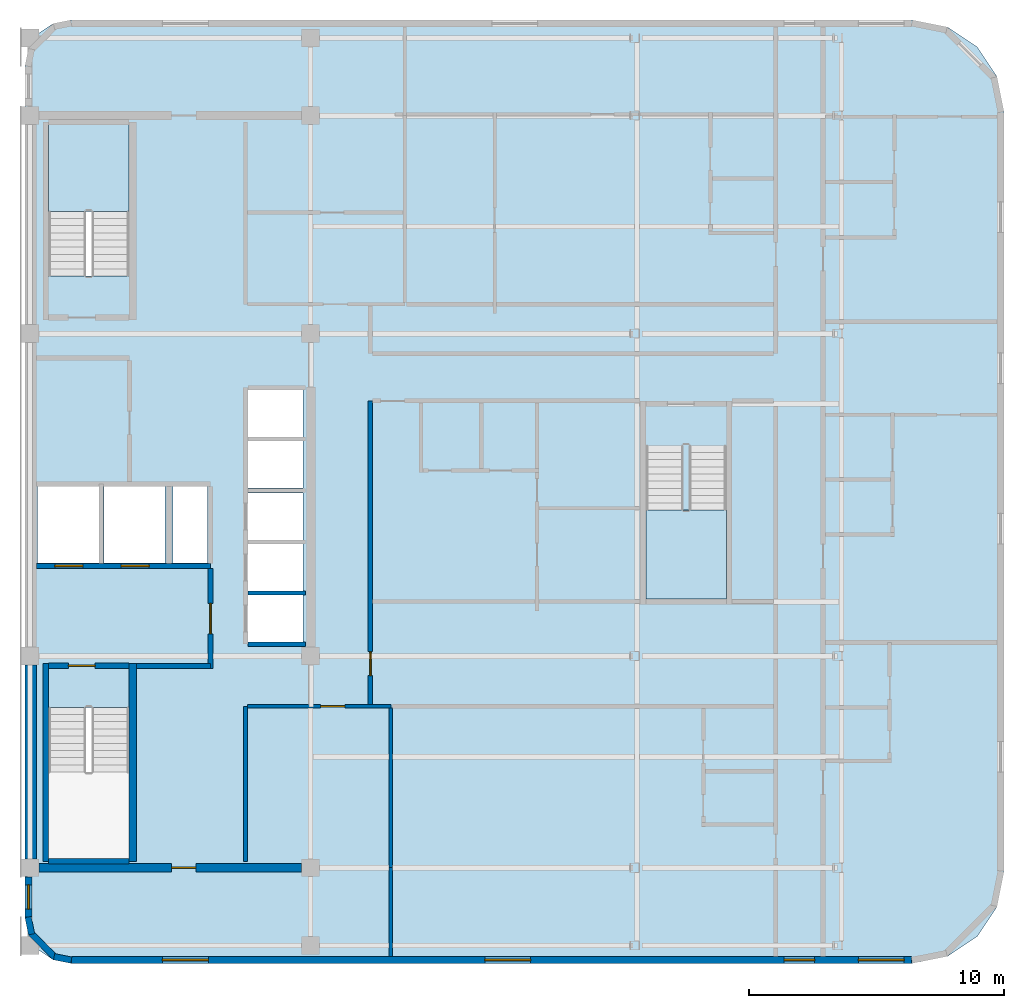
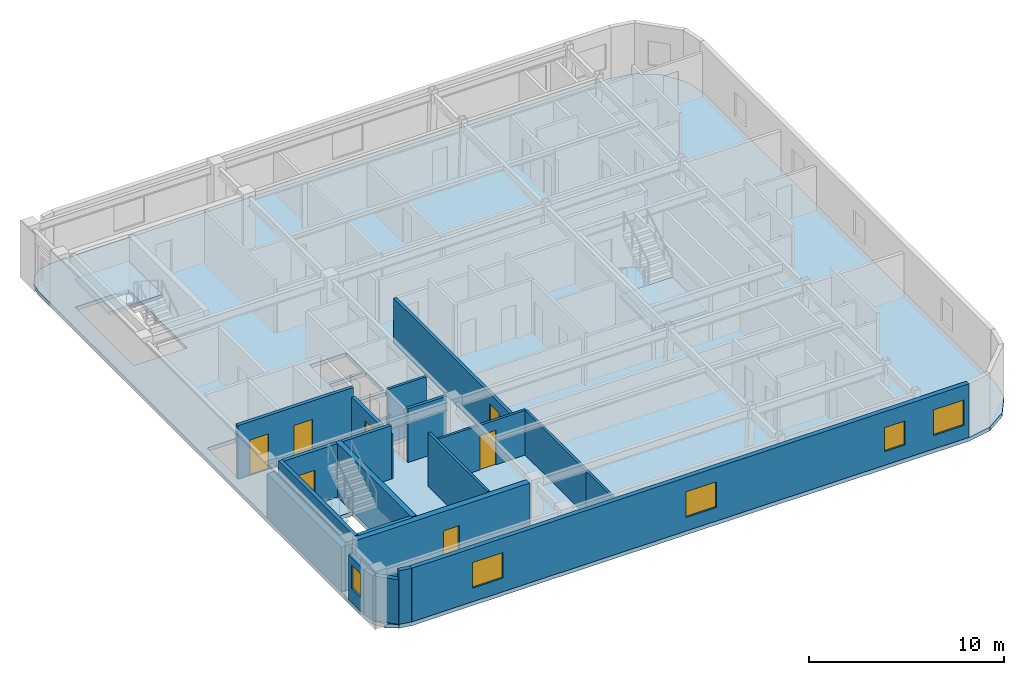
# One storey, part 2 of 8: 21 walls, 7 doors, 5 windows, 3 slabs, 12 openings, 2 elements without a shape of their own.
"""IFC4 building model written with IfcOpenShell, lengths in metres."""

from ifc_helpers import new_model, si_unit, direction, frame, frame_2d, origin, place, context, subcontext, project, spatial, polyline, rectangle, outline, extrude, material, layer, layer_set, type_object, element, fill, aggregate, save


model = new_model("IFC4")

# Units and contexts
model_context = context("Model", 3, precision=1e-05, world=origin(), true_north=direction((0.0, 1.0)))
body_context = subcontext(model_context, "Body", "Model", "MODEL_VIEW")
ifc_project = project(units=[si_unit("LENGTHUNIT", "METRE"), si_unit("AREAUNIT", "SQUARE_METRE"), si_unit("VOLUMEUNIT", "CUBIC_METRE"), si_unit("PLANEANGLEUNIT", "RADIAN"), si_unit("MASSUNIT", "GRAM", prefix="KILO")], contexts=[model_context])

# Site, building, storey
site_placement = place(None, origin())
site = spatial("IfcSite", under=ifc_project, at=site_placement, CompositionType="ELEMENT")
building_placement = place(site_placement, origin())
building = spatial("IfcBuilding", under=site, at=building_placement, Name="Ochreholt Gables", CompositionType="ELEMENT")
storey_placement = place(building_placement, frame((0.0, 0.0, 227.39990234375)))
storey = spatial("IfcBuildingStorey", under=building, at=storey_placement, Name="L59", CompositionType="ELEMENT", Elevation=227.39990234375)

# Stair, slab
ifc_material_1 = material(Name="Concrete 40 MPa", Category="concrete")
stair_type_1 = type_object("IfcStairType", Name="STAIR-CORE-ST-2", PredefinedType="HALF_TURN_STAIR", material=ifc_material_1)
stair_1_placement = place(storey_placement, origin())
stair_1 = element("IfcStair", 1, at=stair_1_placement, inside=storey, type_object=stair_type_1, Name="L59 Core Exit Stair 2", PredefinedType="HALF_TURN_STAIR")
ifc_layer_1 = layer(ifc_material_1, 0.199951171875, Name="Concrete 40 MPa")
ifc_layer_set_1 = layer_set([ifc_layer_1], Name="Concrete 40 MPa")
slab_type_1 = type_object("IfcSlabType", Name="LANDING-RC200", PredefinedType="LANDING", material=ifc_layer_set_1)
slab_1_placement = place(storey_placement, frame((0.0, 0.0, 1.60009765625)))
slab_1 = element("IfcSlab", 2, at=slab_1_placement, type_object=slab_type_1, Name="ST-2 landing 1", PredefinedType="LANDING", context=body_context, shape_type="SweptSolid", body=[
    extrude(outline(polyline([(28.080078125, 34.998046875), (28.080078125, 38.47998046875), (24.919921875, 38.47998046875), (24.919921875, 34.998046875), (28.080078125, 34.998046875)])), origin(), (0.0, 0.0, 1.0), 0.199951171875),
])
aggregate(stair_1, [slab_1])

stair_type_2 = type_object("IfcStairType", Name="STAIR-CORE-ST-C6", PredefinedType="HALF_TURN_STAIR", material=ifc_material_1)
stair_2_placement = place(storey_placement, origin())
stair_2 = element("IfcStair", 3, at=stair_2_placement, inside=storey, type_object=stair_type_2, Name="L59 Community Feature Stair ST-C6", PredefinedType="HALF_TURN_STAIR")
slab_2_placement = place(storey_placement, frame((0.0, 0.0, 1.60009765625)))
slab_2 = element("IfcSlab", 4, at=slab_2_placement, type_object=slab_type_1, Name="ST-C6 landing 1", PredefinedType="LANDING", context=body_context, shape_type="SweptSolid", body=[
    extrude(outline(polyline([(48.35009765625, 23.281982421875), (48.35009765625, 19.800048828125), (51.510009765625, 19.800048828125), (51.510009765625, 23.281982421875), (48.35009765625, 23.281982421875)])), origin(), (0.0, 0.0, 1.0), 0.199951171875),
])
aggregate(stair_2, [slab_2])

# Slab
ifc_layer_2 = layer(ifc_material_1, 0.239990234375, Name="Concrete 40 MPa")
ifc_layer_set_2 = layer_set([ifc_layer_2], Name="Concrete 40 MPa")
slab_type_2 = type_object("IfcSlabType", Name="SLAB-TWR-240", PredefinedType="FLOOR", material=ifc_layer_set_2)
slab_3_placement = place(storey_placement, frame((0.0, 0.0, -0.239990234375)))
element("IfcSlab", 5, at=slab_3_placement, inside=storey, type_object=slab_type_2, Name="L59 Structural Floor Slab", PredefinedType="FLOOR", context=body_context, shape_type="SweptSolid", body=[
    extrude(outline(polyline([(24.0, 7.300048828125), (24.136962890625, 6.611083984375), (24.527099609375, 6.027099609375), (25.111083984375, 5.636962890625), (25.800048828125, 5.5), (58.800048828125, 5.5), (60.177734375, 5.77392578125), (61.345703125, 6.554443359375), (62.1259765625, 7.722412109375), (62.39990234375, 9.10009765625), (62.39990234375, 38.89990234375), (62.1259765625, 40.277587890625), (61.345703125, 41.445556640625), (60.177734375, 42.22607421875), (58.800048828125, 42.5), (25.800048828125, 42.5), (25.111083984375, 42.363037109375), (24.527099609375, 41.972900390625), (24.136962890625, 41.388916015625), (24.0, 40.699951171875), (24.0, 7.300048828125)]), holes=[polyline([(24.919921875, 15.539306640625), (24.919921875, 9.52001953125), (28.080078125, 9.52001953125), (28.080078125, 15.539306640625), (24.919921875, 15.539306640625)]), polyline([(28.080078125, 32.460693359375), (28.080078125, 38.47998046875), (24.919921875, 38.47998046875), (24.919921875, 32.460693359375), (28.080078125, 32.460693359375)]), polyline([(24.5, 21.199951171875), (26.89990234375, 21.199951171875), (26.89990234375, 24.199951171875), (24.5, 24.199951171875), (24.5, 21.199951171875)]), polyline([(27.10009765625, 21.199951171875), (29.5, 21.199951171875), (29.5, 24.199951171875), (27.10009765625, 24.199951171875), (27.10009765625, 21.199951171875)]), polyline([(32.75, 18.10009765625), (34.89990234375, 18.10009765625), (34.89990234375, 19.949951171875), (32.75, 19.949951171875), (32.75, 18.10009765625)]), polyline([(32.75, 20.10009765625), (34.89990234375, 20.10009765625), (34.89990234375, 21.949951171875), (32.75, 21.949951171875), (32.75, 20.10009765625)]), polyline([(32.75, 22.10009765625), (34.89990234375, 22.10009765625), (34.89990234375, 23.949951171875), (32.75, 23.949951171875), (32.75, 22.10009765625)]), polyline([(32.75, 24.14990234375), (34.89990234375, 24.14990234375), (34.89990234375, 26.0), (32.75, 26.0), (32.75, 24.14990234375)]), polyline([(32.75, 26.14990234375), (34.89990234375, 26.14990234375), (34.89990234375, 28.0), (32.75, 28.0), (32.75, 26.14990234375)]), polyline([(29.800048828125, 21.199951171875), (31.14990234375, 21.199951171875), (31.14990234375, 24.199951171875), (29.800048828125, 24.199951171875), (29.800048828125, 21.199951171875)])]), origin(), (0.0, 0.0, 1.0), 0.239990234375),
])

# Wall, opening, door
ifc_material_2 = material(Name="Concrete 50 MPa", Category="concrete")
ifc_layer_3 = layer(ifc_material_2, 0.35009765625, Name="Concrete 50 MPa")
ifc_layer_set_3 = layer_set([ifc_layer_3], Name="Concrete 50 MPa")
wall_type_1 = type_object("IfcWallType", Name="WALL-CSW-350", PredefinedType="SHEAR", material=ifc_layer_set_3)
wall_1_placement = place(storey_placement, frame((24.550048828125, 9.25, 0.0), z_axis=(0.0, 0.0, 1.0), x_axis=(1.0, 0.0, 0.0)))
wall_1 = element("IfcWall", 6, at=wall_1_placement, inside=storey, type_object=wall_type_1, Name="L59 Core South Shear Wall", PredefinedType="SHEAR", context=body_context, shape_type="SweptSolid", body=[
    extrude(rectangle(XDim=10.300048828125, YDim=0.35009765625, at=frame_2d((5.14990234375, 0.0))), origin(), (0.0, 0.0, 1.0), 3.35009765625),
])
opening_1_placement = place(wall_1_placement, frame((5.199951171875, 0.0, 0.0)))
opening_1 = element("IfcOpeningElement", 7, at=opening_1_placement, cuts=wall_1, Name="Opening D-FL2", PredefinedType="OPENING", context=body_context, shape_type="SweptSolid", body=[
    extrude(rectangle(XDim=0.949951171875, YDim=2.14990234375, at=frame_2d((0.47509765625, 1.074951171875))), frame((0.0, 0.18505859375, 0.0), z_axis=(0.0, -1.0, 0.0), x_axis=(1.0, 0.0, 0.0)), (0.0, 0.0, 1.0), 0.3701171875),
])
ifc_material_3 = material(Name="Hollow Metal Steel", Category="steel")
door_type_1 = type_object("IfcDoorType", Name="DR-INT-FLB950", OperationType="NOTDEFINED", PredefinedType="DOOR", material=ifc_material_3)
door_1_placement = place(opening_1_placement, frame((0.949951171875, 0.0, 0.0), z_axis=(0.0, 0.0, 1.0), x_axis=(-1.0, 0.0, 0.0)))
door_1 = element("IfcDoor", 8, at=door_1_placement, inside=storey, type_object=door_type_1, Name="L59 Door D-C3SSL-L59", OperationType="SINGLE_SWING_LEFT", OverallHeight=2.14990234375, OverallWidth=0.949951171875, PredefinedType="DOOR", context=body_context, shape_type="SweptSolid", body=[
    extrude(rectangle(XDim=0.949951171875, YDim=2.14990234375, at=frame_2d((0.47509765625, 1.074951171875))), frame((0.0, 0.02490234375, 0.0), z_axis=(0.0, -1.0, 0.0), x_axis=(1.0, 0.0, 0.0)), (0.0, 0.0, 1.0), 0.050048828125),
])
fill(opening_1, door_1)

# Wall
ifc_layer_4 = layer(ifc_material_2, 0.449951171875, Name="Concrete 50 MPa")
ifc_layer_set_4 = layer_set([ifc_layer_4], Name="Concrete 50 MPa")
wall_type_2 = type_object("IfcWallType", Name="WALL-CSW-EXT", PredefinedType="SHEAR", material=ifc_layer_set_4)
wall_2_placement = place(storey_placement, frame((24.22509765625, 9.60009765625, 0.0), z_axis=(0.0, 0.0, 1.0), x_axis=(0.0, 1.0, 0.0)))
element("IfcWall", 9, at=wall_2_placement, inside=storey, type_object=wall_type_2, Name="L59 Core West Shear Wall WS", PredefinedType="SHEAR", context=body_context, shape_type="SweptSolid", body=[
    extrude(rectangle(XDim=7.599853515625, YDim=0.449951171875, at=frame_2d((3.7998046875, 0.0))), origin(), (0.0, 0.0, 1.0), 2.81103515625),
])

# Wall, openings, windows
ifc_material_4 = material(Name="Precast concrete 40 MPa", Category="concrete")
ifc_layer_5 = layer(ifc_material_4, 0.27001953125, Name="Precast concrete 40 MPa")
ifc_layer_set_5 = layer_set([ifc_layer_5], Name="Precast concrete 40 MPa")
wall_type_3 = type_object("IfcWallType", Name="WALL-EXT-270", PredefinedType="SOLIDWALL", material=ifc_layer_set_5)
wall_3_placement = place(storey_placement, frame((25.820068359375, 5.635009765625, 0.0), z_axis=(0.0, 0.0, 1.0), x_axis=(1.0, 0.0, 0.0)))
wall_3 = element("IfcWall", 10, at=wall_3_placement, inside=storey, type_object=wall_type_3, Name="L59 South Exterior Wall", PredefinedType="SOLIDWALL", context=body_context, shape_type="SweptSolid", body=[
    extrude(rectangle(XDim=32.9599609375, YDim=0.27001953125, at=frame_2d((16.47998046875, 0.0))), origin(), (0.0, 0.0, 1.0), 3.35009765625),
])
opening_2_placement = place(wall_3_placement, frame((3.570068359375, 0.0, 0.85009765625)))
opening_2 = element("IfcOpeningElement", 11, at=opening_2_placement, cuts=wall_3, Name="Opening WN-1", PredefinedType="OPENING", context=body_context, shape_type="SweptSolid", body=[
    extrude(rectangle(XDim=1.800048828125, YDim=1.60009765625, at=frame_2d((0.89990234375, 0.800048828125))), frame((0.0, 0.14501953125, 0.0), z_axis=(0.0, -1.0, 0.0), x_axis=(1.0, 0.0, 0.0)), (0.0, 0.0, 1.0), 0.2900390625),
])
opening_3_placement = place(wall_3_placement, frame((16.214111328125, 0.0, 0.85009765625)))
opening_3 = element("IfcOpeningElement", 12, at=opening_3_placement, cuts=wall_3, Name="Opening WN-1", PredefinedType="OPENING", context=body_context, shape_type="SweptSolid", body=[
    extrude(rectangle(XDim=1.800048828125, YDim=1.60009765625, at=frame_2d((0.89990234375, 0.800048828125))), frame((0.0, 0.14501953125, 0.0), z_axis=(0.0, -1.0, 0.0), x_axis=(1.0, 0.0, 0.0)), (0.0, 0.0, 1.0), 0.2900390625),
])
opening_4_placement = place(wall_3_placement, frame((27.955322265625, 0.0, 0.85009765625)))
opening_4 = element("IfcOpeningElement", 13, at=opening_4_placement, cuts=wall_3, Name="Opening WN-3", PredefinedType="OPENING", context=body_context, shape_type="SweptSolid", body=[
    extrude(rectangle(XDim=1.199951171875, YDim=1.5, at=frame_2d((0.60009765625, 0.75))), frame((0.0, 0.14501953125, 0.0), z_axis=(0.0, -1.0, 0.0), x_axis=(1.0, 0.0, 0.0)), (0.0, 0.0, 1.0), 0.2900390625),
])
opening_5_placement = place(wall_3_placement, frame((30.865234375, 0.0, 0.85009765625)))
opening_5 = element("IfcOpeningElement", 14, at=opening_5_placement, cuts=wall_3, Name="Opening WN-1", PredefinedType="OPENING", context=body_context, shape_type="SweptSolid", body=[
    extrude(rectangle(XDim=1.800048828125, YDim=1.60009765625, at=frame_2d((0.89990234375, 0.800048828125))), frame((0.0, 0.14501953125, 0.0), z_axis=(0.0, -1.0, 0.0), x_axis=(1.0, 0.0, 0.0)), (0.0, 0.0, 1.0), 0.2900390625),
])
ifc_material_5 = material(Name="Triple-Glazed Thermally Broken Aluminium Window", Category="aluminium")
window_type_1 = type_object("IfcWindowType", Name="WIN-RES-1200", PartitioningType="SINGLE_PANEL", PredefinedType="WINDOW", material=ifc_material_5)
window_1_placement = place(opening_4_placement, origin())
window_1 = element("IfcWindow", 15, at=window_1_placement, inside=storey, type_object=window_type_1, Name="L59 Window W-EXT-S-L59-3", OverallHeight=1.5, OverallWidth=1.199951171875, PartitioningType="SINGLE_PANEL", PredefinedType="WINDOW", context=body_context, shape_type="SweptSolid", body=[
    extrude(rectangle(XDim=1.199951171875, YDim=1.5, at=frame_2d((0.60009765625, 0.75))), frame((0.0, 0.030029296875, 0.0), z_axis=(0.0, -1.0, 0.0), x_axis=(1.0, 0.0, 0.0)), (0.0, 0.0, 1.0), 0.06005859375),
])
fill(opening_4, window_1)
window_type_2 = type_object("IfcWindowType", Name="WIN-RES-1800", PartitioningType="SINGLE_PANEL", PredefinedType="WINDOW", material=ifc_material_5)
window_2_placement = place(opening_2_placement, origin())
window_2 = element("IfcWindow", 16, at=window_2_placement, inside=storey, type_object=window_type_2, Name="L59 Window W-EXT-S-L59-1", OverallHeight=1.60009765625, OverallWidth=1.800048828125, PartitioningType="SINGLE_PANEL", PredefinedType="WINDOW", context=body_context, shape_type="SweptSolid", body=[
    extrude(rectangle(XDim=1.800048828125, YDim=1.60009765625, at=frame_2d((0.89990234375, 0.800048828125))), frame((0.0, 0.030029296875, 0.0), z_axis=(0.0, -1.0, 0.0), x_axis=(1.0, 0.0, 0.0)), (0.0, 0.0, 1.0), 0.06005859375),
])
fill(opening_2, window_2)
window_3_placement = place(opening_3_placement, origin())
window_3 = element("IfcWindow", 17, at=window_3_placement, inside=storey, type_object=window_type_2, Name="L59 Window W-EXT-S-L59-2", OverallHeight=1.60009765625, OverallWidth=1.800048828125, PartitioningType="SINGLE_PANEL", PredefinedType="WINDOW", context=body_context, shape_type="SweptSolid", body=[
    extrude(rectangle(XDim=1.800048828125, YDim=1.60009765625, at=frame_2d((0.89990234375, 0.800048828125))), frame((0.0, 0.030029296875, 0.0), z_axis=(0.0, -1.0, 0.0), x_axis=(1.0, 0.0, 0.0)), (0.0, 0.0, 1.0), 0.06005859375),
])
fill(opening_3, window_3)
window_4_placement = place(opening_5_placement, origin())
window_4 = element("IfcWindow", 18, at=window_4_placement, inside=storey, type_object=window_type_2, Name="L59 Window W-EXT-S-L59-4", OverallHeight=1.60009765625, OverallWidth=1.800048828125, PartitioningType="SINGLE_PANEL", PredefinedType="WINDOW", context=body_context, shape_type="SweptSolid", body=[
    extrude(rectangle(XDim=1.800048828125, YDim=1.60009765625, at=frame_2d((0.89990234375, 0.800048828125))), frame((0.0, 0.030029296875, 0.0), z_axis=(0.0, -1.0, 0.0), x_axis=(1.0, 0.0, 0.0)), (0.0, 0.0, 1.0), 0.06005859375),
])
fill(opening_5, window_4)

# Wall, opening, window
wall_4_placement = place(storey_placement, frame((24.135009765625, 7.320068359375, 0.0), z_axis=(0.0, 0.0, 1.0), x_axis=(0.0, 1.0, 0.0)))
wall_4 = element("IfcWall", 19, at=wall_4_placement, inside=storey, type_object=wall_type_3, Name="L59 West Facade South Bay Wall", PredefinedType="SOLIDWALL", context=body_context, shape_type="SweptSolid", body=[
    extrude(rectangle(XDim=1.559814453125, YDim=0.27001953125, at=frame_2d((0.77978515625, 0.0))), origin(), (0.0, 0.0, 1.0), 2.793212890625),
])
opening_6_placement = place(wall_4_placement, frame((0.304931640625, 0.0, 0.85009765625)))
opening_6 = element("IfcOpeningElement", 20, at=opening_6_placement, cuts=wall_4, Name="Opening WN-10", PredefinedType="OPENING", context=body_context, shape_type="SweptSolid", body=[
    extrude(rectangle(XDim=0.949951171875, YDim=1.5, at=frame_2d((0.47509765625, 0.75))), frame((0.0, 0.14501953125, 0.0), z_axis=(0.0, -1.0, 0.0), x_axis=(1.0, 0.0, 0.0)), (0.0, 0.0, 1.0), 0.2900390625),
])
window_type_3 = type_object("IfcWindowType", Name="WIN-RES-950", PartitioningType="SINGLE_PANEL", PredefinedType="WINDOW", material=ifc_material_5)
window_5_placement = place(opening_6_placement, origin())
window_5 = element("IfcWindow", 21, at=window_5_placement, inside=storey, type_object=window_type_3, Name="L59 South Sky Lounge West Window", OverallHeight=1.5, OverallWidth=0.949951171875, PartitioningType="SINGLE_PANEL", PredefinedType="WINDOW", context=body_context, shape_type="SweptSolid", body=[
    extrude(rectangle(XDim=0.949951171875, YDim=1.5, at=frame_2d((0.47509765625, 0.75))), frame((0.0, 0.030029296875, 0.0), z_axis=(0.0, -1.0, 0.0), x_axis=(1.0, 0.0, 0.0)), (0.0, 0.0, 1.0), 0.06005859375),
])
fill(opening_6, window_5)

# Walls
ifc_layer_6 = layer(ifc_material_4, 0.25, Name="Precast concrete 40 MPa")
ifc_layer_set_6 = layer_set([ifc_layer_6], Name="Precast concrete 40 MPa")
wall_type_4 = type_object("IfcWallType", Name="WALL-EXT-CNR", PredefinedType="SOLIDWALL", material=ifc_layer_set_6)
wall_5_placement = place(storey_placement, frame((24.124267578125, 7.31640625, 0.0), z_axis=(0.0, 0.0, 1.0), x_axis=(0.194952956674, -0.980812594069, 0.0)))
element("IfcWall", 22, at=wall_5_placement, inside=storey, type_object=wall_type_4, Name="L59 Rounded Corner Wall SW-1", PredefinedType="SOLIDWALL", context=body_context, shape_type="SweptSolid", body=[
    extrude(rectangle(XDim=0.686279296875, YDim=0.25, at=frame_2d((0.34326171875, 0.0))), origin(), (0.0, 0.0, 1.0), 2.793212890625),
])
wall_6_placement = place(storey_placement, frame((24.23095703125, 6.69384765625, 0.0), z_axis=(0.0, 0.0, 1.0), x_axis=(0.707106781187, -0.707106781187, 0.0)))
element("IfcWall", 23, at=wall_6_placement, inside=storey, type_object=wall_type_4, Name="L59 Rounded Corner Wall SW-2", PredefinedType="SOLIDWALL", context=body_context, shape_type="SweptSolid", body=[
    extrude(rectangle(XDim=1.36181640625, YDim=0.25, at=frame_2d((0.680908203125, 0.0))), origin(), (0.0, 0.0, 1.0), 2.793212890625),
])
wall_7_placement = place(storey_placement, frame((25.143310546875, 5.758056640625, 0.0), z_axis=(0.0, 0.0, 1.0), x_axis=(0.980812594069, -0.194952956674, 0.0)))
element("IfcWall", 24, at=wall_7_placement, inside=storey, type_object=wall_type_4, Name="L59 Rounded Corner Wall SW-3", PredefinedType="SOLIDWALL", context=body_context, shape_type="SweptSolid", body=[
    extrude(rectangle(XDim=0.686279296875, YDim=0.25, at=frame_2d((0.34326171875, 0.0))), origin(), (0.0, 0.0, 1.0), 3.35009765625),
])

# Wall, openings, doors
ifc_layer_7 = layer(ifc_material_1, 0.199951171875, Name="Concrete 40 MPa")
ifc_layer_set_7 = layer_set([ifc_layer_7], Name="Concrete 40 MPa")
wall_type_5 = type_object("IfcWallType", Name="WALL-INT-CF200", PredefinedType="STANDARD", material=ifc_layer_set_7)
wall_8_placement = place(storey_placement, frame((24.449951171875, 21.090087890625, 0.0), z_axis=(0.0, 0.0, 1.0), x_axis=(1.0, 0.0, 0.0)))
wall_8 = element("IfcWall", 25, at=wall_8_placement, inside=storey, type_object=wall_type_5, Name="L59 Interior Wall WI-FFN-L59", PredefinedType="STANDARD", context=body_context, shape_type="SweptSolid", body=[
    extrude(rectangle(XDim=6.830078125, YDim=0.199951171875, at=frame_2d((3.4150390625, 0.0))), origin(), (0.0, 0.0, 1.0), 3.35009765625),
])
opening_7_placement = place(wall_8_placement, frame((0.719970703125, 0.0, 0.0)))
opening_7 = element("IfcOpeningElement", 26, at=opening_7_placement, cuts=wall_8, Name="Opening LD-FF", PredefinedType="OPENING", context=body_context, shape_type="SweptSolid", body=[
    extrude(rectangle(XDim=1.10009765625, YDim=2.199951171875, at=frame_2d((0.550048828125, 1.10009765625))), frame((0.0, 0.10986328125, 0.0), z_axis=(0.0, -1.0, 0.0), x_axis=(1.0, 0.0, 0.0)), (0.0, 0.0, 1.0), 0.219970703125),
])
opening_8_placement = place(wall_8_placement, frame((3.320068359375, 0.0, 0.0)))
opening_8 = element("IfcOpeningElement", 27, at=opening_8_placement, cuts=wall_8, Name="Opening LD-FF", PredefinedType="OPENING", context=body_context, shape_type="SweptSolid", body=[
    extrude(rectangle(XDim=1.10009765625, YDim=2.199951171875, at=frame_2d((0.550048828125, 1.10009765625))), frame((0.0, 0.10986328125, 0.0), z_axis=(0.0, -1.0, 0.0), x_axis=(1.0, 0.0, 0.0)), (0.0, 0.0, 1.0), 0.219970703125),
])
ifc_material_6 = material(Name="Stainless Steel", Category="steel")
door_type_2 = type_object("IfcDoorType", Name="DR-LFT-FF1100", OperationType="NOTDEFINED", PredefinedType="DOOR", material=ifc_material_6)
door_2_placement = place(opening_7_placement, origin())
door_2 = element("IfcDoor", 28, at=door_2_placement, inside=storey, type_object=door_type_2, Name="L59 Door LD-FF1-L59", OperationType="SLIDING_TO_LEFT", OverallHeight=2.199951171875, OverallWidth=1.10009765625, PredefinedType="DOOR", context=body_context, shape_type="SweptSolid", body=[
    extrude(rectangle(XDim=1.10009765625, YDim=2.199951171875, at=frame_2d((0.550048828125, 1.10009765625))), frame((0.0, 0.02490234375, 0.0), z_axis=(0.0, -1.0, 0.0), x_axis=(1.0, 0.0, 0.0)), (0.0, 0.0, 1.0), 0.050048828125),
])
fill(opening_7, door_2)
door_3_placement = place(opening_8_placement, origin())
door_3 = element("IfcDoor", 29, at=door_3_placement, inside=storey, type_object=door_type_2, Name="L59 Door LD-FF2-L59", OperationType="SLIDING_TO_LEFT", OverallHeight=2.199951171875, OverallWidth=1.10009765625, PredefinedType="DOOR", context=body_context, shape_type="SweptSolid", body=[
    extrude(rectangle(XDim=1.10009765625, YDim=2.199951171875, at=frame_2d((0.550048828125, 1.10009765625))), frame((0.0, 0.02490234375, 0.0), z_axis=(0.0, -1.0, 0.0), x_axis=(1.0, 0.0, 0.0)), (0.0, 0.0, 1.0), 0.050048828125),
])
fill(opening_8, door_3)

# Wall
wall_9_placement = place(storey_placement, frame((28.3798828125, 17.169921875, 0.0), z_axis=(0.0, 0.0, 1.0), x_axis=(1.0, 0.0, 0.0)))
element("IfcWall", 30, at=wall_9_placement, inside=storey, type_object=wall_type_5, Name="L59 Interior Wall WI-FFS-L59", PredefinedType="STANDARD", context=body_context, shape_type="SweptSolid", body=[
    extrude(rectangle(XDim=2.900146484375, YDim=0.199951171875, at=frame_2d((1.4501953125, 0.0))), origin(), (0.0, 0.0, 1.0), 3.35009765625),
])

# Wall, opening, door
wall_10_placement = place(storey_placement, frame((31.280029296875, 17.070068359375, 0.0), z_axis=(0.0, 0.0, 1.0), x_axis=(0.0, 1.0, 0.0)))
wall_10 = element("IfcWall", 31, at=wall_10_placement, inside=storey, type_object=wall_type_5, Name="L59 Interior Wall WI-FFE-L59", PredefinedType="STANDARD", context=body_context, shape_type="SweptSolid", body=[
    extrude(rectangle(XDim=3.919921875, YDim=0.199951171875, at=frame_2d((1.9599609375, 0.0))), origin(), (0.0, 0.0, 1.0), 2.793212890625),
])
opening_9_placement = place(wall_10_placement, frame((1.35009765625, 0.0, 0.0)))
opening_9 = element("IfcOpeningElement", 32, at=opening_9_placement, cuts=wall_10, Name="Opening D-FFL", PredefinedType="OPENING", context=body_context, shape_type="SweptSolid", body=[
    extrude(rectangle(XDim=1.199951171875, YDim=2.14990234375, at=frame_2d((0.60009765625, 1.074951171875))), frame((0.0, 0.10986328125, 0.0), z_axis=(0.0, -1.0, 0.0), x_axis=(1.0, 0.0, 0.0)), (0.0, 0.0, 1.0), 0.219970703125),
])
door_type_3 = type_object("IfcDoorType", Name="DR-INT-FFL1200", OperationType="NOTDEFINED", PredefinedType="DOOR", material=ifc_material_3)
door_4_placement = place(opening_9_placement, origin())
door_4 = element("IfcDoor", 33, at=door_4_placement, inside=storey, type_object=door_type_3, Name="L59 Door D-FFL-L59", OperationType="SINGLE_SWING_LEFT", OverallHeight=2.14990234375, OverallWidth=1.199951171875, PredefinedType="DOOR", context=body_context, shape_type="SweptSolid", body=[
    extrude(rectangle(XDim=1.199951171875, YDim=2.14990234375, at=frame_2d((0.60009765625, 1.074951171875))), frame((0.0, 0.02490234375, 0.0), z_axis=(0.0, -1.0, 0.0), x_axis=(1.0, 0.0, 0.0)), (0.0, 0.0, 1.0), 0.050048828125),
])
fill(opening_9, door_4)

ifc_material_7 = material(Name="Fire-Rated Gypsum Acoustic Partition", Category="gypsum")
ifc_layer_8 = layer(ifc_material_7, 0.179931640625, Name="Fire-Rated Gypsum Acoustic Partition")
ifc_layer_set_8 = layer_set([ifc_layer_8], Name="Fire-Rated Gypsum Acoustic Partition")
wall_type_6 = type_object("IfcWallType", Name="WALL-INT-CR180", PredefinedType="STANDARD", material=ifc_layer_set_8)
wall_11_placement = place(storey_placement, frame((37.550048828125, 15.652587890625, 0.0), z_axis=(0.0, 0.0, 1.0), x_axis=(0.0, 1.0, 0.0)))
wall_11 = element("IfcWall", 34, at=wall_11_placement, inside=storey, type_object=wall_type_6, Name="L59 Interior Wall WI-C3CE0-L59", PredefinedType="STANDARD", context=body_context, shape_type="SweptSolid", body=[
    extrude(rectangle(XDim=11.907470703125, YDim=0.179931640625, at=frame_2d((5.95361328125, 0.0))), origin(), (0.0, 0.0, 1.0), 2.793212890625),
])
opening_10_placement = place(wall_11_placement, frame((1.12744140625, 0.0, 0.0)))
opening_10 = element("IfcOpeningElement", 35, at=opening_10_placement, cuts=wall_11, Name="Opening D-GN1", PredefinedType="OPENING", context=body_context, shape_type="SweptSolid", body=[
    extrude(rectangle(XDim=0.949951171875, YDim=2.14990234375, at=frame_2d((0.47509765625, 1.074951171875))), frame((0.0, 0.099853515625, 0.0), z_axis=(0.0, -1.0, 0.0), x_axis=(1.0, 0.0, 0.0)), (0.0, 0.0, 1.0), 0.199951171875),
])
ifc_material_8 = material(Name="Engineered Oak Timber", Category="wood")
door_type_4 = type_object("IfcDoorType", Name="DR-INT-GEN950", OperationType="NOTDEFINED", PredefinedType="DOOR", material=ifc_material_8)
door_5_placement = place(opening_10_placement, origin())
door_5 = element("IfcDoor", 36, at=door_5_placement, inside=storey, type_object=door_type_4, Name="L59 Door D-C3FSS-L59", OperationType="SINGLE_SWING_LEFT", OverallHeight=2.14990234375, OverallWidth=0.949951171875, PredefinedType="DOOR", context=body_context, shape_type="SweptSolid", body=[
    extrude(rectangle(XDim=0.949951171875, YDim=2.14990234375, at=frame_2d((0.47509765625, 1.074951171875))), frame((0.0, 0.02490234375, 0.0), z_axis=(0.0, -1.0, 0.0), x_axis=(1.0, 0.0, 0.0)), (0.0, 0.0, 1.0), 0.050048828125),
])
fill(opening_10, door_5)

# Wall
ifc_material_9 = material(Name="Lightweight Stud Partition", Category="gypsum")
ifc_layer_9 = layer(ifc_material_9, 0.14501953125, Name="Lightweight Stud Partition")
ifc_layer_set_9 = layer_set([ifc_layer_9], Name="Lightweight Stud Partition")
wall_type_7 = type_object("IfcWallType", Name="WALL-INT-PT145", PredefinedType="PARTITIONING", material=ifc_layer_set_9)
wall_12_placement = place(storey_placement, frame((32.64990234375, 9.5, 0.0), z_axis=(0.0, 0.0, 1.0), x_axis=(0.0, 1.0, 0.0)))
element("IfcWall", 37, at=wall_12_placement, inside=storey, type_object=wall_type_7, Name="L59 Interior Wall WI-RCL-W-L59", PredefinedType="PARTITIONING", context=body_context, shape_type="SweptSolid", body=[
    extrude(rectangle(XDim=6.080078125, YDim=0.14501953125, at=frame_2d((3.0400390625, 0.0))), origin(), (0.0, 0.0, 1.0), 3.35009765625),
])

# Wall, opening, door
wall_13_placement = place(storey_placement, frame((32.722412109375, 15.580078125, 0.0), z_axis=(0.0, 0.0, 1.0), x_axis=(1.0, 0.0, 0.0)))
wall_13 = element("IfcWall", 38, at=wall_13_placement, inside=storey, type_object=wall_type_7, Name="L59 Interior Wall WI-RCL-N-L59", PredefinedType="PARTITIONING", context=body_context, shape_type="SweptSolid", body=[
    extrude(rectangle(XDim=5.627685546875, YDim=0.14501953125, at=frame_2d((2.81396484375, 0.0))), origin(), (0.0, 0.0, 1.0), 2.793212890625),
])
opening_11_placement = place(wall_13_placement, frame((2.87744140625, 0.0, 0.0)))
opening_11 = element("IfcOpeningElement", 39, at=opening_11_placement, cuts=wall_13, Name="Opening D-GN1", PredefinedType="OPENING", context=body_context, shape_type="SweptSolid", body=[
    extrude(rectangle(XDim=0.949951171875, YDim=2.14990234375, at=frame_2d((0.47509765625, 1.074951171875))), frame((0.0, 0.08251953125, 0.0), z_axis=(0.0, -1.0, 0.0), x_axis=(1.0, 0.0, 0.0)), (0.0, 0.0, 1.0), 0.1650390625),
])
door_6_placement = place(opening_11_placement, origin())
door_6 = element("IfcDoor", 40, at=door_6_placement, inside=storey, type_object=door_type_4, Name="L59 Door D-RCL-L59", OperationType="SINGLE_SWING_LEFT", OverallHeight=2.14990234375, OverallWidth=0.949951171875, PredefinedType="DOOR", context=body_context, shape_type="SweptSolid", body=[
    extrude(rectangle(XDim=0.949951171875, YDim=2.14990234375, at=frame_2d((0.47509765625, 1.074951171875))), frame((0.0, 0.02490234375, 0.0), z_axis=(0.0, -1.0, 0.0), x_axis=(1.0, 0.0, 0.0)), (0.0, 0.0, 1.0), 0.050048828125),
])
fill(opening_11, door_6)

# Walls
wall_14_placement = place(storey_placement, frame((38.35009765625, 9.25, 0.0), z_axis=(0.0, 0.0, 1.0), x_axis=(0.0, 1.0, 0.0)))
element("IfcWall", 41, at=wall_14_placement, inside=storey, type_object=wall_type_7, Name="L59 Interior Wall WI-RCL-E-L59", PredefinedType="PARTITIONING", context=body_context, shape_type="SweptSolid", body=[
    extrude(rectangle(XDim=6.257568359375, YDim=0.14501953125, at=frame_2d((3.12890625, 0.0))), origin(), (0.0, 0.0, 1.0), 2.793212890625),
])
wall_15_placement = place(storey_placement, frame((38.35009765625, 5.77001953125, 0.0), z_axis=(0.0, 0.0, 1.0), x_axis=(0.0, 1.0, 0.0)))
element("IfcWall", 42, at=wall_15_placement, inside=storey, type_object=wall_type_7, Name="L59 Interior Wall WI-C3SMW-L59", PredefinedType="PARTITIONING", context=body_context, shape_type="SweptSolid", body=[
    extrude(rectangle(XDim=3.47998046875, YDim=0.14501953125, at=frame_2d((1.739990234375, 0.0))), origin(), (0.0, 0.0, 1.0), 2.793212890625),
])
ifc_material_10 = material(Name="Gypsum Shaftliner and Steel Stud", Category="steel")
ifc_layer_10 = layer(ifc_material_10, 0.14990234375, Name="Gypsum Shaftliner and Steel Stud")
ifc_layer_set_10 = layer_set([ifc_layer_10], Name="Gypsum Shaftliner and Steel Stud")
wall_type_8 = type_object("IfcWallType", Name="WALL-INT-SH150", PredefinedType="STANDARD", material=ifc_layer_set_10)
wall_16_placement = place(storey_placement, frame((32.739990234375, 20.02001953125, 0.0), z_axis=(0.0, 0.0, 1.0), x_axis=(1.0, 0.0, 0.0)))
element("IfcWall", 43, at=wall_16_placement, inside=storey, type_object=wall_type_8, Name="L59 Interior Wall WI-LFHE-DH1-L59", PredefinedType="STANDARD", context=body_context, shape_type="SweptSolid", body=[
    extrude(rectangle(XDim=2.260009765625, YDim=0.14990234375, at=frame_2d((1.1298828125, 0.0))), origin(), (0.0, 0.0, 1.0), 3.35009765625),
])
ifc_layer_11 = layer(ifc_material_10, 0.179931640625, Name="Gypsum Shaftliner and Steel Stud")
ifc_layer_set_11 = layer_set([ifc_layer_11], Name="Gypsum Shaftliner and Steel Stud")
wall_type_9 = type_object("IfcWallType", Name="WALL-INT-SH180", PredefinedType="STANDARD", material=ifc_layer_set_11)
wall_17_placement = place(storey_placement, frame((32.739990234375, 18.02001953125, 0.0), z_axis=(0.0, 0.0, 1.0), x_axis=(1.0, 0.0, 0.0)))
element("IfcWall", 44, at=wall_17_placement, inside=storey, type_object=wall_type_9, Name="L59 Interior Wall WI-LFHE-S-L59", PredefinedType="STANDARD", context=body_context, shape_type="SweptSolid", body=[
    extrude(rectangle(XDim=2.260009765625, YDim=0.179931640625, at=frame_2d((1.1298828125, 0.0))), origin(), (0.0, 0.0, 1.0), 3.35009765625),
])
ifc_material_11 = material(Name="Concrete 60 MPa", Category="concrete")
ifc_layer_12 = layer(ifc_material_11, 0.300048828125, Name="Concrete 60 MPa")
ifc_layer_set_12 = layer_set([ifc_layer_12], Name="Concrete 60 MPa")
wall_type_10 = type_object("IfcWallType", Name="WALL-SPN-300", PredefinedType="SHEAR", material=ifc_layer_set_12)
wall_18_placement = place(storey_placement, frame((28.22998046875, 9.5, 0.0), z_axis=(0.0, 0.0, 1.0), x_axis=(0.0, 1.0, 0.0)))
element("IfcWall", 45, at=wall_18_placement, inside=storey, type_object=wall_type_10, Name="L59 Core South Spine Shear Wall", PredefinedType="SHEAR", context=body_context, shape_type="SweptSolid", body=[
    extrude(rectangle(XDim=7.760009765625, YDim=0.300048828125, at=frame_2d((3.8798828125, 0.0))), origin(), (0.0, 0.0, 1.0), 3.35009765625),
])
ifc_layer_13 = layer(ifc_material_2, 0.219970703125, Name="Concrete 50 MPa")
ifc_layer_set_13 = layer_set([ifc_layer_13], Name="Concrete 50 MPa")
wall_type_11 = type_object("IfcWallType", Name="WALL-STW-220", PredefinedType="SHEAR", material=ifc_layer_set_13)
wall_19_placement = place(storey_placement, frame((24.81005859375, 9.5, 0.0), z_axis=(0.0, 0.0, 1.0), x_axis=(0.0, 1.0, 0.0)))
element("IfcWall", 46, at=wall_19_placement, inside=storey, type_object=wall_type_11, Name="L59 Exit Stair 1 West Wall", PredefinedType="SHEAR", context=body_context, shape_type="SweptSolid", body=[
    extrude(rectangle(XDim=7.760009765625, YDim=0.219970703125, at=frame_2d((3.8798828125, 0.0))), origin(), (0.0, 0.0, 1.0), 3.35009765625),
])
wall_20_placement = place(storey_placement, frame((24.919921875, 9.510009765625, 0.0), z_axis=(0.0, 0.0, 1.0), x_axis=(1.0, 0.0, 0.0)))
element("IfcWall", 47, at=wall_20_placement, inside=storey, type_object=wall_type_11, Name="L59 Exit Stair 1 South Wall", PredefinedType="SHEAR", context=body_context, shape_type="SweptSolid", body=[
    extrude(rectangle(XDim=3.16015625, YDim=0.219970703125, at=frame_2d((1.580078125, 0.0))), origin(), (0.0, 0.0, 1.0), 3.35009765625),
])

# Wall, opening, door
wall_21_placement = place(storey_placement, frame((24.919921875, 17.169921875, 0.0), z_axis=(0.0, 0.0, 1.0), x_axis=(1.0, 0.0, 0.0)))
wall_21 = element("IfcWall", 48, at=wall_21_placement, inside=storey, type_object=wall_type_11, Name="L59 Exit Stair 1 North Wall", PredefinedType="SHEAR", context=body_context, shape_type="SweptSolid", body=[
    extrude(rectangle(XDim=3.16015625, YDim=0.219970703125, at=frame_2d((1.580078125, 0.0))), origin(), (0.0, 0.0, 1.0), 3.35009765625),
])
opening_12_placement = place(wall_21_placement, frame((0.780029296875, 0.0, 0.0)))
opening_12 = element("IfcOpeningElement", 49, at=opening_12_placement, cuts=wall_21, Name="Opening D-STC", PredefinedType="OPENING", context=body_context, shape_type="SweptSolid", body=[
    extrude(rectangle(XDim=1.050048828125, YDim=2.14990234375, at=frame_2d((0.52490234375, 1.074951171875))), frame((0.0, 0.119873046875, 0.0), z_axis=(0.0, -1.0, 0.0), x_axis=(1.0, 0.0, 0.0)), (0.0, 0.0, 1.0), 0.239990234375),
])
door_type_5 = type_object("IfcDoorType", Name="DR-INT-ST1050", OperationType="NOTDEFINED", PredefinedType="DOOR", material=ifc_material_3)
door_7_placement = place(opening_12_placement, frame((1.050048828125, 0.0, 0.0), z_axis=(0.0, 0.0, 1.0), x_axis=(-1.0, 0.0, 0.0)))
door_7 = element("IfcDoor", 50, at=door_7_placement, inside=storey, type_object=door_type_5, Name="L59 Door D-ST1-L59", OperationType="SINGLE_SWING_LEFT", OverallHeight=2.14990234375, OverallWidth=1.050048828125, PredefinedType="DOOR", context=body_context, shape_type="SweptSolid", body=[
    extrude(rectangle(XDim=1.050048828125, YDim=2.14990234375, at=frame_2d((0.52490234375, 1.074951171875))), frame((0.0, 0.02490234375, 0.0), z_axis=(0.0, -1.0, 0.0), x_axis=(1.0, 0.0, 0.0)), (0.0, 0.0, 1.0), 0.050048828125),
])
fill(opening_12, door_7)

save(model, "model.ifc")
